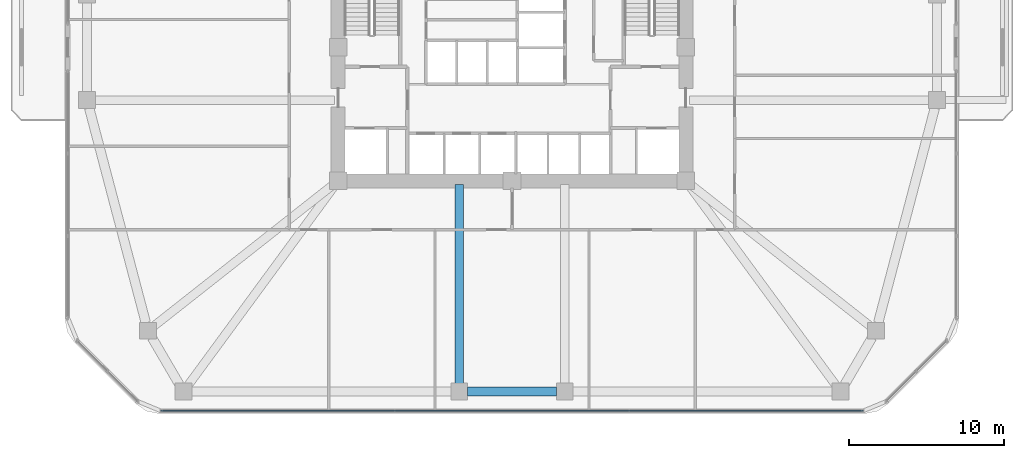
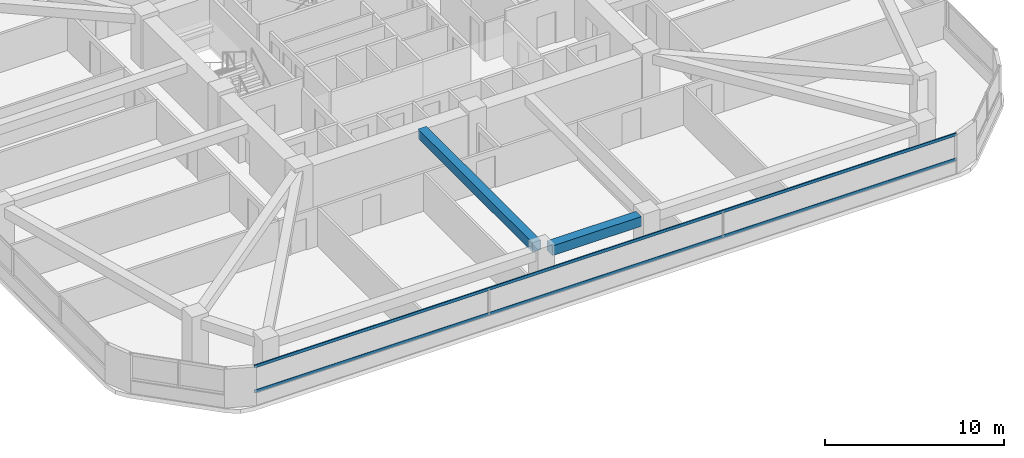
# One storey, part 3 of 15: 2 beams, 2 members, 1 element without a shape of its own.
"""IFC4 building model written with IfcOpenShell, lengths in metres."""

from ifc_helpers import new_model, si_unit, derived_unit, direction, frame, origin, origin_2d, place, context, subcontext, project, spatial, rectangle, extrude, material, material_profile, profile_set, type_object, element, aggregate, save


model = new_model("IFC4")

# Units and contexts
model_context = context("Model", 3, precision=1e-05, world=origin(), true_north=direction((0.0, 1.0)))
body_context = subcontext(model_context, "Body", "Model", "MODEL_VIEW")
ifc_project = project(units=[si_unit("LENGTHUNIT", "METRE"), si_unit("AREAUNIT", "SQUARE_METRE"), si_unit("VOLUMEUNIT", "CUBIC_METRE"), si_unit("PLANEANGLEUNIT", "RADIAN"), si_unit("MASSUNIT", "GRAM", prefix="KILO"), derived_unit("THERMALTRANSMITTANCEUNIT", [(si_unit("POWERUNIT", "WATT"), 1), (si_unit("LENGTHUNIT", "METRE"), -2), (si_unit("THERMODYNAMICTEMPERATUREUNIT", "KELVIN"), -1)])], contexts=[model_context])

# Site, building, storey
site_placement = place(None, origin())
site = spatial("IfcSite", under=ifc_project, at=site_placement, CompositionType="ELEMENT")
building_placement = place(site_placement, origin())
building = spatial("IfcBuilding", under=site, at=building_placement, Name="Koralith Skygarden Medical Center", CompositionType="ELEMENT")
storey_placement = place(building_placement, frame((0.0, 0.0, 41.93994140625)))
storey = spatial("IfcBuildingStorey", under=building, at=storey_placement, Name="L10", CompositionType="ELEMENT", Elevation=41.93994140625)

# Curtain wall, members
ifc_material_1 = material(Name="Clear Laminated Glass", Category="glass")
curtain_wall_type = type_object("IfcCurtainWallType", Name="CW-2 Zone 1 Hurricane Unitised Curtain Wall", PredefinedType="NOTDEFINED", material=ifc_material_1)
curtain_wall_placement = place(storey_placement, origin())
curtain_wall = element("IfcCurtainWall", 1, at=curtain_wall_placement, inside=storey, type_object=curtain_wall_type, Name="Curtain Wall CW-L10-S", PredefinedType="NOTDEFINED")
ifc_material_2 = material(Name="Aluminium 6063-T6", Category="aluminium")
ifc_material_profile_1 = material_profile(ifc_material_2, rectangle(XDim=0.06591796875, YDim=0.197998046875, at=origin_2d()), Name="TRN66X198")
ifc_profile_set_1 = profile_set([ifc_material_profile_1], Name="Aluminium 6063-T6")
member_type = type_object("IfcMemberType", Name="CW-2 Thermal Transom 66x198", PredefinedType="USERDEFINED", material=ifc_profile_set_1)
member_1_placement = place(storey_placement, frame((14.35498046875, 2.47998046875, 0.900146484375), z_axis=(1.0, 0.0, 0.0), x_axis=(0.0, 1.0, 0.0)))
member_1 = element("IfcMember", 2, at=member_1_placement, type_object=member_type, Name="CW-L10-S Transom 1", ObjectType="TRANSOM", PredefinedType="USERDEFINED", context=body_context, shape_type="SweptSolid", body=[
    extrude(rectangle(XDim=0.06591796875, YDim=0.197998046875, at=origin_2d()), origin(), (0.0, 0.0, 1.0), 45.2900390625),
])
member_2_placement = place(storey_placement, frame((14.35498046875, 2.47998046875, 2.60009765625), z_axis=(1.0, 0.0, 0.0), x_axis=(0.0, 1.0, 0.0)))
member_2 = element("IfcMember", 3, at=member_2_placement, type_object=member_type, Name="CW-L10-S Transom 2", ObjectType="TRANSOM", PredefinedType="USERDEFINED", context=body_context, shape_type="SweptSolid", body=[
    extrude(rectangle(XDim=0.06591796875, YDim=0.197998046875, at=origin_2d()), origin(), (0.0, 0.0, 1.0), 45.2900390625),
])
aggregate(curtain_wall, [member_1, member_2])

# Beams
ifc_material_3 = material(Name="Concrete C45/55", Category="concrete")
ifc_material_profile_2 = material_profile(ifc_material_3, rectangle(XDim=0.550048828125, YDim=0.639892578125, at=origin_2d()), Name="RCB550X640")
ifc_profile_set_2 = profile_set([ifc_material_profile_2], Name="Concrete C45/55")
beam_type_1 = type_object("IfcBeamType", Name="Radial Collector Beam RCB550X640", PredefinedType="BEAM", material=ifc_profile_set_2)
beam_1_placement = place(storey_placement, frame((33.60009765625, 17.050048828125, 3.0), z_axis=(0.0, -1.0, 0.0), x_axis=(1.0, 0.0, 0.0)))
element("IfcBeam", 4, at=beam_1_placement, inside=storey, type_object=beam_type_1, Name="L10 Radial Collector Beam RB-04", PredefinedType="BEAM", context=body_context, shape_type="SweptSolid", body=[
    extrude(rectangle(XDim=0.550048828125, YDim=0.639892578125, at=origin_2d()), origin(), (0.0, 0.0, 1.0), 12.800048828125),
])
ifc_material_profile_3 = material_profile(ifc_material_3, rectangle(XDim=0.60009765625, YDim=0.659912109375, at=origin_2d()), Name="RCB600X660")
ifc_profile_set_3 = profile_set([ifc_material_profile_3], Name="Concrete C45/55")
beam_type_2 = type_object("IfcBeamType", Name="Zone 1 Spandrel Beam RCB600X660", PredefinedType="SPANDREL", material=ifc_profile_set_3)
beam_2_placement = place(storey_placement, frame((34.1298828125, 3.719970703125, 2.989990234375), z_axis=(1.0, 0.0, 0.0), x_axis=(0.0, 1.0, 0.0)))
element("IfcBeam", 5, at=beam_2_placement, inside=storey, type_object=beam_type_2, Name="L10 Perimeter Spandrel Beam SP-04", PredefinedType="SPANDREL", context=body_context, shape_type="SweptSolid", body=[
    extrude(rectangle(XDim=0.60009765625, YDim=0.659912109375, at=origin_2d()), origin(), (0.0, 0.0, 1.0), 5.740234375),
])

save(model, "model.ifc")
